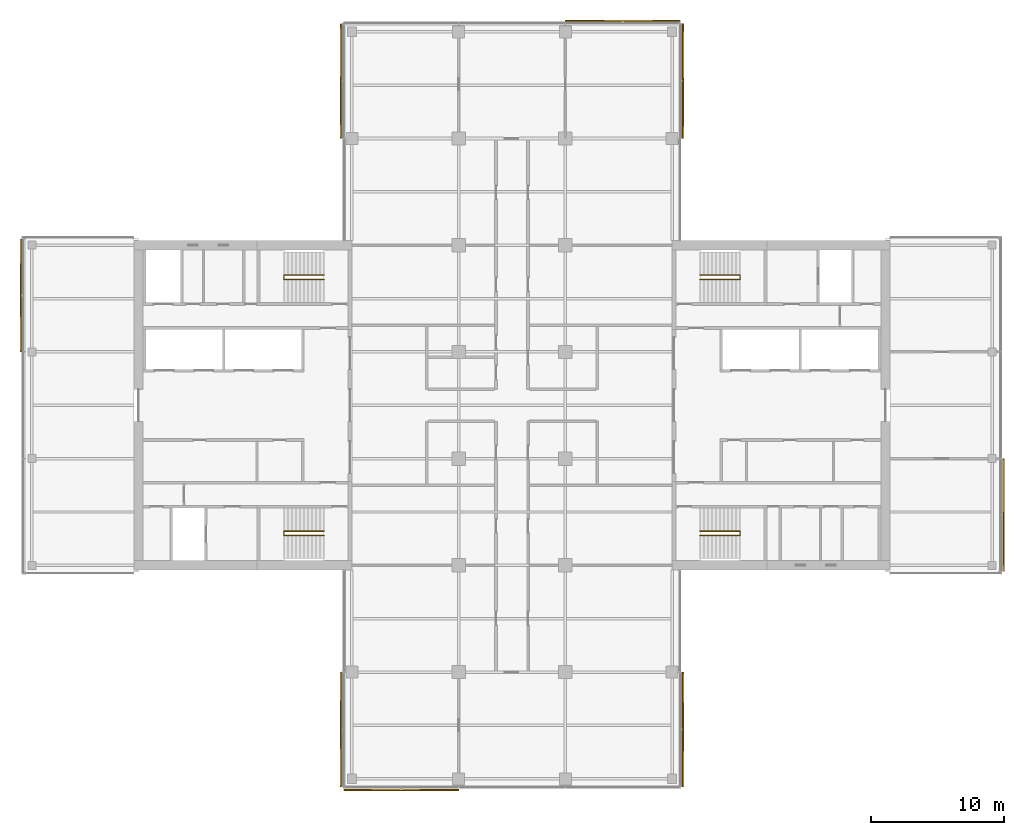
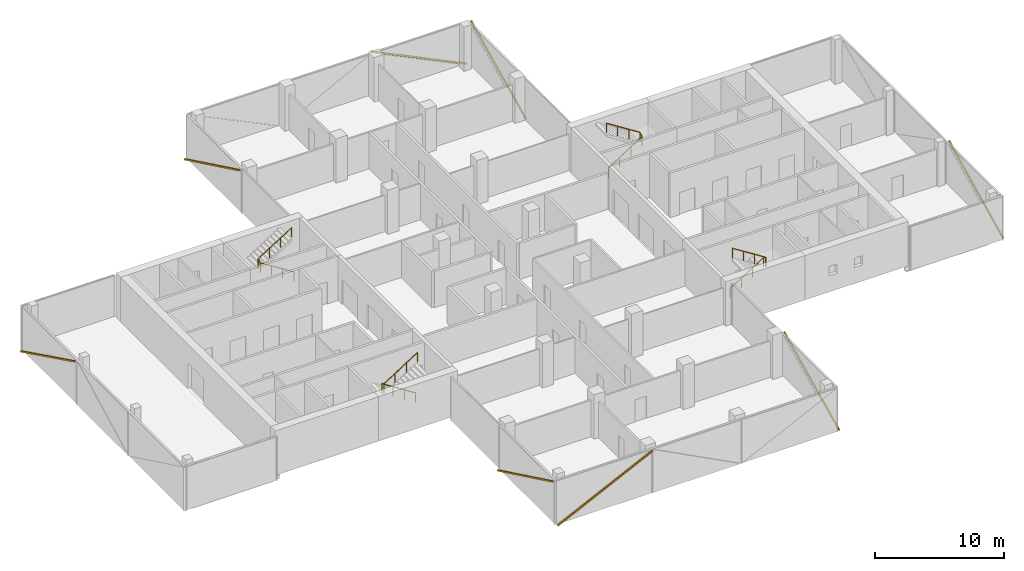
# One storey, part 22 of 22: 8 shading devices, 4 railings, 8 elements without a shape of their own.
"""IFC4 building model written with IfcOpenShell, lengths in metres."""

from ifc_helpers import new_model, si_unit, direction, frame, origin, origin_2d, place, context, subcontext, project, spatial, rectangle, circle, extrude, material, material_profile, profile_set, type_object, element, aggregate, save


model = new_model("IFC4")

# Units and contexts
model_context = context("Model", 3, precision=1e-05, world=origin(), true_north=direction((0.0, 1.0)))
body_context = subcontext(model_context, "Body", "Model", "MODEL_VIEW")
ifc_project = project(units=[si_unit("LENGTHUNIT", "METRE"), si_unit("AREAUNIT", "SQUARE_METRE"), si_unit("VOLUMEUNIT", "CUBIC_METRE"), si_unit("PLANEANGLEUNIT", "RADIAN"), si_unit("MASSUNIT", "GRAM", prefix="KILO")], contexts=[model_context])

# Site, building, storey
site_placement = place(None, origin())
site = spatial("IfcSite", under=ifc_project, at=site_placement, CompositionType="ELEMENT")
building_placement = place(site_placement, origin())
building = spatial("IfcBuilding", under=site, at=building_placement, Name="Crosswind Convention Tower", CompositionType="ELEMENT")
storey_placement = place(building_placement, frame((0.0, 0.0, 129.5)))
storey = spatial("IfcBuildingStorey", under=building, at=storey_placement, Name="L26", CompositionType="ELEMENT", Elevation=129.5)

# Railings
ifc_material_1 = material(Name="Stainless steel", Category="steel")
railing_type = type_object("IfcRailingType", Name="Stair handrail 900", PredefinedType="HANDRAIL", material=ifc_material_1)
railing_1_placement = place(storey_placement, frame((139.10009765625, 109.43994140625, 0.19091796875)))
element("IfcRailing", 1, at=railing_1_placement, inside=storey, type_object=railing_type, Name="Stair ST1 handrail L26", PredefinedType="HANDRAIL", context=body_context, shape_type="SweptSolid", body=[
    extrude(circle(Radius=0.02392578125, at=origin_2d()), frame((0.0, 0.0, 0.8759765625), z_axis=(0.843650179428, 0.0, 0.536893261973), x_axis=(0.0, 1.0, 0.0)), (0.0, 0.0, 1.0), 3.555908203125),
    extrude(circle(Radius=0.02392578125, at=origin_2d()), frame((3.0, 0.0, 2.78515625), z_axis=(0.0, 0.858819504967, 0.512278301208), x_axis=(-1.0, 0.0, 0.0)), (0.0, 0.0, 1.0), 0.372802734375),
    extrude(circle(Radius=0.02392578125, at=origin_2d()), frame((3.0, 0.320068359375, 2.97607421875), z_axis=(-0.843681277094, 0.0, 0.536844393359), x_axis=(0.0, -1.0, 0.0)), (0.0, 0.0, 1.0), 3.555908203125),
    extrude(circle(Radius=0.02099609375, at=origin_2d()), origin(), (0.0, 0.0, 1.0), 0.851806640625),
    extrude(circle(Radius=0.02099609375, at=origin_2d()), frame((1.0, 0.0, 0.636474609375)), (0.0, 0.0, 1.0), 0.851806640625),
    extrude(circle(Radius=0.02099609375, at=origin_2d()), frame((2.0, 0.0, 1.272705078125)), (0.0, 0.0, 1.0), 0.851806640625),
    extrude(circle(Radius=0.02099609375, at=origin_2d()), frame((3.0, 0.0, 1.9091796875)), (0.0, 0.0, 1.0), 0.851806640625),
    extrude(circle(Radius=0.02099609375, at=origin_2d()), frame((3.0, 0.320068359375, 2.10009765625)), (0.0, 0.0, 1.0), 0.851806640625),
    extrude(circle(Radius=0.02099609375, at=origin_2d()), frame((2.0, 0.320068359375, 2.736328125)), (0.0, 0.0, 1.0), 0.851806640625),
    extrude(circle(Radius=0.02099609375, at=origin_2d()), frame((1.0, 0.320068359375, 3.372802734375)), (0.0, 0.0, 1.0), 0.851806640625),
    extrude(circle(Radius=0.02099609375, at=origin_2d()), frame((0.0, 0.320068359375, 4.009033203125)), (0.0, 0.0, 1.0), 0.851806640625),
])
railing_2_placement = place(storey_placement, frame((139.10009765625, 90.56005859375, 0.19091796875)))
element("IfcRailing", 2, at=railing_2_placement, inside=storey, type_object=railing_type, Name="Stair ST2 handrail L26", PredefinedType="HANDRAIL", context=body_context, shape_type="SweptSolid", body=[
    extrude(circle(Radius=0.02392578125, at=origin_2d()), frame((0.0, 0.0, 0.8759765625), z_axis=(0.843650179428, 0.0, 0.536893261973), x_axis=(0.0, 1.0, 0.0)), (0.0, 0.0, 1.0), 3.555908203125),
    extrude(circle(Radius=0.02392578125, at=origin_2d()), frame((3.0, 0.0, 2.78515625), z_axis=(0.0, -0.858819504967, 0.512278301208), x_axis=(1.0, 0.0, 0.0)), (0.0, 0.0, 1.0), 0.372802734375),
    extrude(circle(Radius=0.02392578125, at=origin_2d()), frame((3.0, -0.320068359375, 2.97607421875), z_axis=(-0.843681277094, 0.0, 0.536844393359), x_axis=(0.0, -1.0, 0.0)), (0.0, 0.0, 1.0), 3.555908203125),
    extrude(circle(Radius=0.02099609375, at=origin_2d()), origin(), (0.0, 0.0, 1.0), 0.851806640625),
    extrude(circle(Radius=0.02099609375, at=origin_2d()), frame((1.0, 0.0, 0.636474609375)), (0.0, 0.0, 1.0), 0.851806640625),
    extrude(circle(Radius=0.02099609375, at=origin_2d()), frame((2.0, 0.0, 1.272705078125)), (0.0, 0.0, 1.0), 0.851806640625),
    extrude(circle(Radius=0.02099609375, at=origin_2d()), frame((3.0, 0.0, 1.9091796875)), (0.0, 0.0, 1.0), 0.851806640625),
    extrude(circle(Radius=0.02099609375, at=origin_2d()), frame((3.0, -0.320068359375, 2.10009765625)), (0.0, 0.0, 1.0), 0.851806640625),
    extrude(circle(Radius=0.02099609375, at=origin_2d()), frame((2.0, -0.320068359375, 2.736328125)), (0.0, 0.0, 1.0), 0.851806640625),
    extrude(circle(Radius=0.02099609375, at=origin_2d()), frame((1.0, -0.320068359375, 3.372802734375)), (0.0, 0.0, 1.0), 0.851806640625),
    extrude(circle(Radius=0.02099609375, at=origin_2d()), frame((0.0, -0.320068359375, 4.009033203125)), (0.0, 0.0, 1.0), 0.851806640625),
])
railing_3_placement = place(storey_placement, frame((110.89990234375, 90.56005859375, 0.19091796875)))
element("IfcRailing", 3, at=railing_3_placement, inside=storey, type_object=railing_type, Name="Stair ST3 handrail L26", PredefinedType="HANDRAIL", context=body_context, shape_type="SweptSolid", body=[
    extrude(circle(Radius=0.02392578125, at=origin_2d()), frame((0.0, 0.0, 0.8759765625), z_axis=(-0.843650179428, 0.0, 0.536893261973), x_axis=(0.0, -1.0, 0.0)), (0.0, 0.0, 1.0), 3.555908203125),
    extrude(circle(Radius=0.02392578125, at=origin_2d()), frame((-3.0, 0.0, 2.78515625), z_axis=(0.0, -0.858819504967, 0.512278301208), x_axis=(1.0, 0.0, 0.0)), (0.0, 0.0, 1.0), 0.372802734375),
    extrude(circle(Radius=0.02392578125, at=origin_2d()), frame((-3.0, -0.320068359375, 2.97607421875), z_axis=(0.843681277094, 0.0, 0.536844393359), x_axis=(0.0, 1.0, 0.0)), (0.0, 0.0, 1.0), 3.555908203125),
    extrude(circle(Radius=0.02099609375, at=origin_2d()), origin(), (0.0, 0.0, 1.0), 0.851806640625),
    extrude(circle(Radius=0.02099609375, at=origin_2d()), frame((-1.0, 0.0, 0.636474609375)), (0.0, 0.0, 1.0), 0.851806640625),
    extrude(circle(Radius=0.02099609375, at=origin_2d()), frame((-2.0, 0.0, 1.272705078125)), (0.0, 0.0, 1.0), 0.851806640625),
    extrude(circle(Radius=0.02099609375, at=origin_2d()), frame((-3.0, 0.0, 1.9091796875)), (0.0, 0.0, 1.0), 0.851806640625),
    extrude(circle(Radius=0.02099609375, at=origin_2d()), frame((-3.0, -0.320068359375, 2.10009765625)), (0.0, 0.0, 1.0), 0.851806640625),
    extrude(circle(Radius=0.02099609375, at=origin_2d()), frame((-2.0, -0.320068359375, 2.736328125)), (0.0, 0.0, 1.0), 0.851806640625),
    extrude(circle(Radius=0.02099609375, at=origin_2d()), frame((-1.0, -0.320068359375, 3.372802734375)), (0.0, 0.0, 1.0), 0.851806640625),
    extrude(circle(Radius=0.02099609375, at=origin_2d()), frame((0.0, -0.320068359375, 4.009033203125)), (0.0, 0.0, 1.0), 0.851806640625),
])
railing_4_placement = place(storey_placement, frame((110.89990234375, 109.43994140625, 0.19091796875)))
element("IfcRailing", 4, at=railing_4_placement, inside=storey, type_object=railing_type, Name="Stair ST4 handrail L26", PredefinedType="HANDRAIL", context=body_context, shape_type="SweptSolid", body=[
    extrude(circle(Radius=0.02392578125, at=origin_2d()), frame((0.0, 0.0, 0.8759765625), z_axis=(-0.843650179428, 0.0, 0.536893261973), x_axis=(0.0, -1.0, 0.0)), (0.0, 0.0, 1.0), 3.555908203125),
    extrude(circle(Radius=0.02392578125, at=origin_2d()), frame((-3.0, 0.0, 2.78515625), z_axis=(0.0, 0.858819504967, 0.512278301208), x_axis=(-1.0, 0.0, 0.0)), (0.0, 0.0, 1.0), 0.372802734375),
    extrude(circle(Radius=0.02392578125, at=origin_2d()), frame((-3.0, 0.320068359375, 2.97607421875), z_axis=(0.843681277094, 0.0, 0.536844393359), x_axis=(0.0, 1.0, 0.0)), (0.0, 0.0, 1.0), 3.555908203125),
    extrude(circle(Radius=0.02099609375, at=origin_2d()), origin(), (0.0, 0.0, 1.0), 0.851806640625),
    extrude(circle(Radius=0.02099609375, at=origin_2d()), frame((-1.0, 0.0, 0.636474609375)), (0.0, 0.0, 1.0), 0.851806640625),
    extrude(circle(Radius=0.02099609375, at=origin_2d()), frame((-2.0, 0.0, 1.272705078125)), (0.0, 0.0, 1.0), 0.851806640625),
    extrude(circle(Radius=0.02099609375, at=origin_2d()), frame((-3.0, 0.0, 1.9091796875)), (0.0, 0.0, 1.0), 0.851806640625),
    extrude(circle(Radius=0.02099609375, at=origin_2d()), frame((-3.0, 0.320068359375, 2.10009765625)), (0.0, 0.0, 1.0), 0.851806640625),
    extrude(circle(Radius=0.02099609375, at=origin_2d()), frame((-2.0, 0.320068359375, 2.736328125)), (0.0, 0.0, 1.0), 0.851806640625),
    extrude(circle(Radius=0.02099609375, at=origin_2d()), frame((-1.0, 0.320068359375, 3.372802734375)), (0.0, 0.0, 1.0), 0.851806640625),
    extrude(circle(Radius=0.02099609375, at=origin_2d()), frame((0.0, 0.320068359375, 4.009033203125)), (0.0, 0.0, 1.0), 0.851806640625),
])

# Curtain wall, shading device
ifc_material_2 = material(Name="Aluminium unitised curtain wall", Category="aluminium")
curtain_wall_type = type_object("IfcCurtainWallType", Name="OFFICE UNITISED WALL 220", PredefinedType="USERDEFINED", material=ifc_material_2)
curtain_wall_1_placement = place(storey_placement, origin())
curtain_wall_1 = element("IfcCurtainWall", 5, at=curtain_wall_1_placement, inside=storey, type_object=curtain_wall_type, Name="CW3 L26 E-TIP 1", ObjectType="UNITISED", PredefinedType="USERDEFINED")
ifc_material_3 = material(Name="Extruded terracotta", Category="masonry")
ifc_material_profile = material_profile(ifc_material_3, rectangle(XDim=0.110107421875, YDim=0.1298828125, at=origin_2d()), Name="TC 110X130")
ifc_profile_set = profile_set([ifc_material_profile], Name="Extruded terracotta")
shading_device_type = type_object("IfcShadingDeviceType", Name="TERRACOTTA BAGUETTE 130X110", PredefinedType="USERDEFINED", material=ifc_profile_set)
shading_device_1_placement = place(storey_placement, frame((161.8310546875, 87.570068359375, -0.300048828125), z_axis=(0.0, 0.89728947872, 0.44144262524), x_axis=(-1.0, 0.0, 0.0)))
shading_device_1 = element("IfcShadingDevice", 6, at=shading_device_1_placement, type_object=shading_device_type, Name="CW3 terracotta baguette 1", ObjectType="BAGUETTE", PredefinedType="USERDEFINED", context=body_context, shape_type="SweptSolid", body=[
    extrude(rectangle(XDim=0.110107421875, YDim=0.1298828125, at=origin_2d()), origin(), (0.0, 0.0, 1.0), 9.35595703125),
])
aggregate(curtain_wall_1, [shading_device_1])

curtain_wall_2_placement = place(storey_placement, origin())
curtain_wall_2 = element("IfcCurtainWall", 7, at=curtain_wall_2_placement, inside=storey, type_object=curtain_wall_type, Name="CW3 L26 N-E 1", ObjectType="UNITISED", PredefinedType="USERDEFINED")
shading_device_2_placement = place(storey_placement, frame((137.8310546875, 120.034912109375, -0.300048828125), z_axis=(0.0, 0.900248093769, 0.435377272793), x_axis=(-1.0, 0.0, 0.0)))
shading_device_2 = element("IfcShadingDevice", 8, at=shading_device_2_placement, type_object=shading_device_type, Name="CW3 terracotta baguette 1", ObjectType="BAGUETTE", PredefinedType="USERDEFINED", context=body_context, shape_type="SweptSolid", body=[
    extrude(rectangle(XDim=0.110107421875, YDim=0.1298828125, at=origin_2d()), origin(), (0.0, 0.0, 1.0), 9.486328125),
])
aggregate(curtain_wall_2, [shading_device_2])

curtain_wall_3_placement = place(storey_placement, origin())
curtain_wall_3 = element("IfcCurtainWall", 9, at=curtain_wall_3_placement, inside=storey, type_object=curtain_wall_type, Name="CW3 L26 N-TIP 1", ObjectType="UNITISED", PredefinedType="USERDEFINED")
shading_device_3_placement = place(storey_placement, frame((137.574951171875, 128.8310546875, -0.300048828125), z_axis=(-0.900248093769, 0.0, 0.435377272793), x_axis=(0.0, -1.0, 0.0)))
shading_device_3 = element("IfcShadingDevice", 10, at=shading_device_3_placement, type_object=shading_device_type, Name="CW3 terracotta baguette 1", ObjectType="BAGUETTE", PredefinedType="USERDEFINED", context=body_context, shape_type="SweptSolid", body=[
    extrude(rectangle(XDim=0.110107421875, YDim=0.1298828125, at=origin_2d()), origin(), (0.0, 0.0, 1.0), 9.486328125),
])
aggregate(curtain_wall_3, [shading_device_3])

curtain_wall_4_placement = place(storey_placement, origin())
curtain_wall_4 = element("IfcCurtainWall", 11, at=curtain_wall_4_placement, inside=storey, type_object=curtain_wall_type, Name="CW3 L26 N-W 1", ObjectType="UNITISED", PredefinedType="USERDEFINED")
shading_device_4_placement = place(storey_placement, frame((112.1689453125, 128.574951171875, -0.300048828125), z_axis=(0.0, -0.900248093769, 0.435377272793), x_axis=(1.0, 0.0, 0.0)))
shading_device_4 = element("IfcShadingDevice", 12, at=shading_device_4_placement, type_object=shading_device_type, Name="CW3 terracotta baguette 1", ObjectType="BAGUETTE", PredefinedType="USERDEFINED", context=body_context, shape_type="SweptSolid", body=[
    extrude(rectangle(XDim=0.110107421875, YDim=0.1298828125, at=origin_2d()), origin(), (0.0, 0.0, 1.0), 9.486328125),
])
aggregate(curtain_wall_4, [shading_device_4])

curtain_wall_5_placement = place(storey_placement, origin())
curtain_wall_5 = element("IfcCurtainWall", 13, at=curtain_wall_5_placement, inside=storey, type_object=curtain_wall_type, Name="CW3 L26 W-TIP 1", ObjectType="UNITISED", PredefinedType="USERDEFINED")
shading_device_5_placement = place(storey_placement, frame((88.1689453125, 112.429931640625, -0.300048828125), z_axis=(0.0, -0.89728947872, 0.44144262524), x_axis=(1.0, 0.0, 0.0)))
shading_device_5 = element("IfcShadingDevice", 14, at=shading_device_5_placement, type_object=shading_device_type, Name="CW3 terracotta baguette 1", ObjectType="BAGUETTE", PredefinedType="USERDEFINED", context=body_context, shape_type="SweptSolid", body=[
    extrude(rectangle(XDim=0.110107421875, YDim=0.1298828125, at=origin_2d()), origin(), (0.0, 0.0, 1.0), 9.35595703125),
])
aggregate(curtain_wall_5, [shading_device_5])

curtain_wall_6_placement = place(storey_placement, origin())
curtain_wall_6 = element("IfcCurtainWall", 15, at=curtain_wall_6_placement, inside=storey, type_object=curtain_wall_type, Name="CW3 L26 S-W 1", ObjectType="UNITISED", PredefinedType="USERDEFINED")
shading_device_6_placement = place(storey_placement, frame((112.1689453125, 79.965087890625, -0.300048828125), z_axis=(0.0, -0.900248093769, 0.435377272793), x_axis=(1.0, 0.0, 0.0)))
shading_device_6 = element("IfcShadingDevice", 16, at=shading_device_6_placement, type_object=shading_device_type, Name="CW3 terracotta baguette 1", ObjectType="BAGUETTE", PredefinedType="USERDEFINED", context=body_context, shape_type="SweptSolid", body=[
    extrude(rectangle(XDim=0.110107421875, YDim=0.1298828125, at=origin_2d()), origin(), (0.0, 0.0, 1.0), 9.486328125),
])
aggregate(curtain_wall_6, [shading_device_6])

curtain_wall_7_placement = place(storey_placement, origin())
curtain_wall_7 = element("IfcCurtainWall", 17, at=curtain_wall_7_placement, inside=storey, type_object=curtain_wall_type, Name="CW3 L26 S-TIP 1", ObjectType="UNITISED", PredefinedType="USERDEFINED")
shading_device_7_placement = place(storey_placement, frame((112.425048828125, 71.1689453125, -0.300048828125), z_axis=(0.900248093769, 0.0, 0.435377272793), x_axis=(0.0, 1.0, 0.0)))
shading_device_7 = element("IfcShadingDevice", 18, at=shading_device_7_placement, type_object=shading_device_type, Name="CW3 terracotta baguette 1", ObjectType="BAGUETTE", PredefinedType="USERDEFINED", context=body_context, shape_type="SweptSolid", body=[
    extrude(rectangle(XDim=0.110107421875, YDim=0.1298828125, at=origin_2d()), origin(), (0.0, 0.0, 1.0), 9.486328125),
])
aggregate(curtain_wall_7, [shading_device_7])

curtain_wall_8_placement = place(storey_placement, origin())
curtain_wall_8 = element("IfcCurtainWall", 19, at=curtain_wall_8_placement, inside=storey, type_object=curtain_wall_type, Name="CW3 L26 S-E 1", ObjectType="UNITISED", PredefinedType="USERDEFINED")
shading_device_8_placement = place(storey_placement, frame((137.8310546875, 71.425048828125, -0.300048828125), z_axis=(0.0, 0.900248093769, 0.435377272793), x_axis=(-1.0, 0.0, 0.0)))
shading_device_8 = element("IfcShadingDevice", 20, at=shading_device_8_placement, type_object=shading_device_type, Name="CW3 terracotta baguette 1", ObjectType="BAGUETTE", PredefinedType="USERDEFINED", context=body_context, shape_type="SweptSolid", body=[
    extrude(rectangle(XDim=0.110107421875, YDim=0.1298828125, at=origin_2d()), origin(), (0.0, 0.0, 1.0), 9.486328125),
])
aggregate(curtain_wall_8, [shading_device_8])

save(model, "model.ifc")
